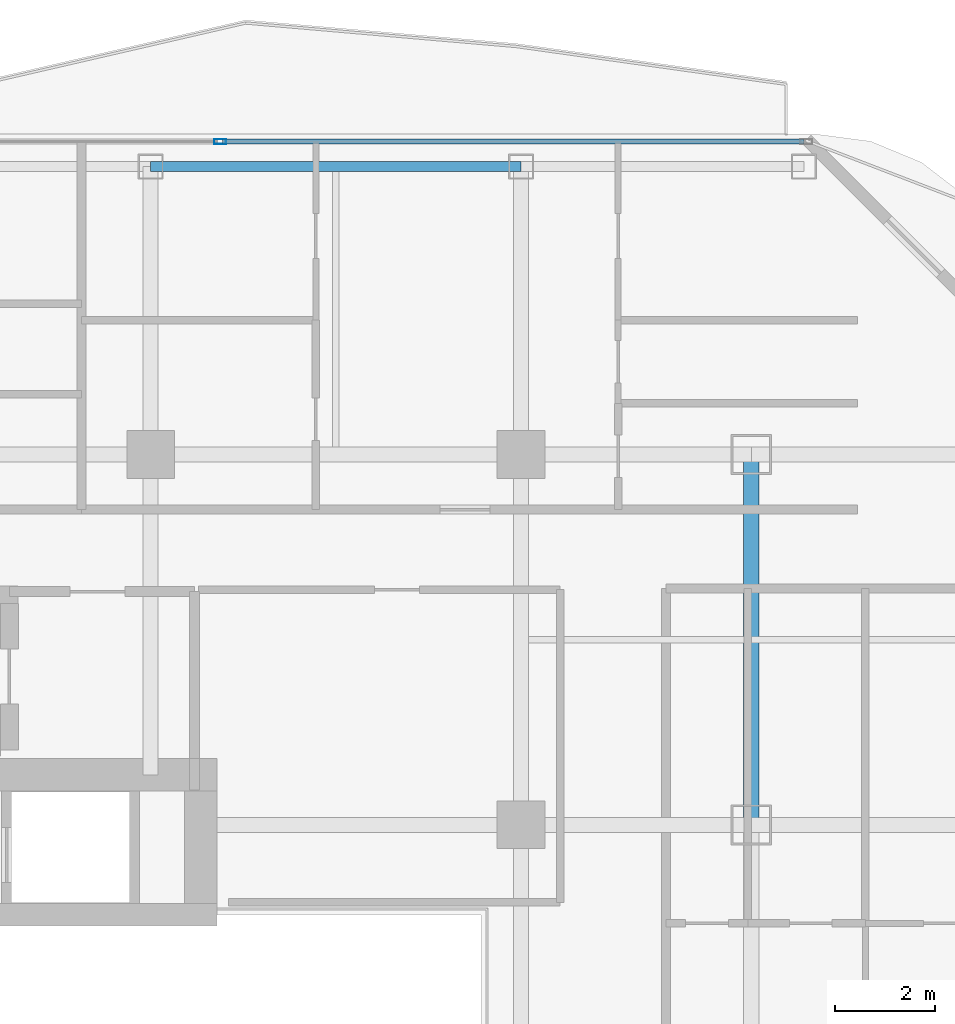
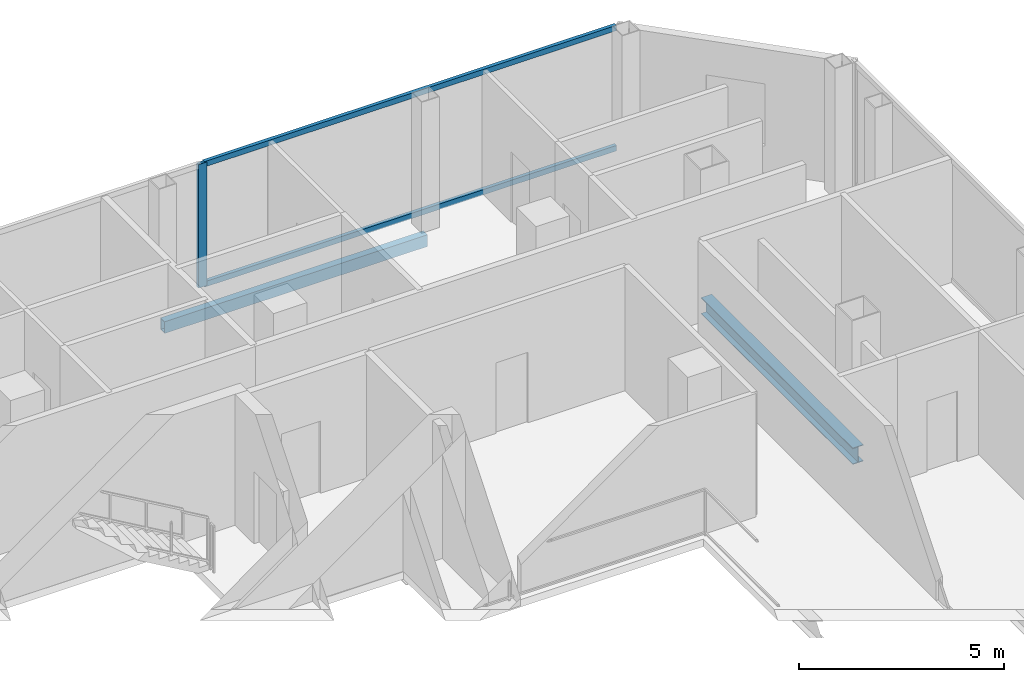
# One storey, part 13 of 22: 3 members, 2 beams, 1 element without a shape of its own.
"""IFC4 building model written with IfcOpenShell, lengths in metres."""

from ifc_helpers import new_model, si_unit, direction, frame, origin, origin_2d, place, context, subcontext, project, spatial, hollow_rectangle, i_section, extrude, material, layer, layer_set, material_profile, profile_set, type_object, element, aggregate, save


model = new_model("IFC4")

# Units and contexts
model_context = context("Model", 3, precision=1e-05, world=origin(), true_north=direction((0.0, 1.0)))
body_context = subcontext(model_context, "Body", "Model", "MODEL_VIEW")
ifc_project = project(units=[si_unit("LENGTHUNIT", "METRE"), si_unit("AREAUNIT", "SQUARE_METRE"), si_unit("VOLUMEUNIT", "CUBIC_METRE"), si_unit("PLANEANGLEUNIT", "RADIAN"), si_unit("MASSUNIT", "GRAM", prefix="KILO")], contexts=[model_context])

# Site, building, storey
site_placement = place(None, origin())
site = spatial("IfcSite", under=ifc_project, at=site_placement, CompositionType="ELEMENT")
building_placement = place(site_placement, origin())
building = spatial("IfcBuilding", under=site, at=building_placement, Name="Khorvyn Point Tower", CompositionType="ELEMENT")
storey_placement = place(building_placement, frame((0.0, 0.0, 278.10009765625)))
storey = spatial("IfcBuildingStorey", under=building, at=storey_placement, Name="L68", CompositionType="ELEMENT", Elevation=278.10009765625)

# Curtain wall, members
ifc_material_1 = material(Name="Anodised aluminium 6063-T6 and laminated Low-E glass", Category="aluminium")
ifc_layer = layer(ifc_material_1, 0.18994140625)
ifc_layer_set = layer_set([ifc_layer], Name="Stick-Built High-Wind Curtain Wall CW-SYS-04")
curtain_wall_type = type_object("IfcCurtainWallType", Name="Stick-Built High-Wind Curtain Wall CW-SYS-04", PredefinedType="NOTDEFINED", material=ifc_layer_set)
curtain_wall_placement = place(storey_placement, origin())
curtain_wall = element("IfcCurtainWall", 1, at=curtain_wall_placement, inside=storey, type_object=curtain_wall_type, Name="Curtain Wall", PredefinedType="NOTDEFINED")
ifc_material_2 = material(Name="Anodised aluminium 6063-T6", Category="aluminium")
ifc_material_profile_1 = material_profile(ifc_material_2, hollow_rectangle(XDim=0.10009765625, YDim=0.239990234375, WallThickness=0.0048828125, at=origin_2d()))
ifc_profile_set_1 = profile_set([ifc_material_profile_1], Name="Anodised aluminium 6063-T6 ALU-MUL-100x240")
member_type_1 = type_object("IfcMemberType", Name="Anodised Aluminium 6063-T6 Mullion ALU-MUL-100x240", PredefinedType="MULLION", material=ifc_profile_set_1)
member_1_placement = place(storey_placement, frame((8.78857421875, 21.050048828125, 0.0), z_axis=(0.0, 0.0, 1.0), x_axis=(0.0, 1.0, 0.0)))
member_1 = element("IfcMember", 2, at=member_1_placement, type_object=member_type_1, Name="Transom", PredefinedType="MULLION", context=body_context, shape_type="SweptSolid", body=[
    extrude(hollow_rectangle(XDim=0.10009765625, YDim=0.239990234375, WallThickness=0.0048828125, at=origin_2d()), origin(), (0.0, 0.0, 1.0), 3.679931640625),
])
ifc_material_profile_2 = material_profile(ifc_material_2, hollow_rectangle(XDim=0.10009765625, YDim=0.159912109375, WallThickness=0.00439453125, at=origin_2d()))
ifc_profile_set_2 = profile_set([ifc_material_profile_2], Name="Anodised aluminium 6063-T6 ALU-TRN-100x160")
member_type_2 = type_object("IfcMemberType", Name="Anodised Aluminium 6063-T6 Transom ALU-TRN-100x160", PredefinedType="USERDEFINED", material=ifc_profile_set_2)
member_2_placement = place(storey_placement, frame((8.83837890625, 21.050048828125, 0.0498046875), z_axis=(1.0, 0.0, 0.0), x_axis=(0.0, 1.0, 0.0)))
member_2 = element("IfcMember", 3, at=member_2_placement, type_object=member_type_2, Name="Transom", ObjectType="TRANSOM", PredefinedType="USERDEFINED", context=body_context, shape_type="SweptSolid", body=[
    extrude(hollow_rectangle(XDim=0.10009765625, YDim=0.159912109375, WallThickness=0.00439453125, at=origin_2d()), origin(), (0.0, 0.0, 1.0), 11.611572265625),
])
member_3_placement = place(storey_placement, frame((8.83837890625, 21.050048828125, 3.6298828125), z_axis=(1.0, 0.0, 0.0), x_axis=(0.0, 1.0, 0.0)))
member_3 = element("IfcMember", 4, at=member_3_placement, type_object=member_type_2, Name="Transom", ObjectType="TRANSOM", PredefinedType="USERDEFINED", context=body_context, shape_type="SweptSolid", body=[
    extrude(hollow_rectangle(XDim=0.10009765625, YDim=0.159912109375, WallThickness=0.00439453125, at=origin_2d()), origin(), (0.0, 0.0, 1.0), 11.611572265625),
])
aggregate(curtain_wall, [member_1, member_2, member_3])

# Beams
ifc_material_3 = material(Name="Steel S355", Category="steel")
ifc_material_profile_3 = material_profile(ifc_material_3, i_section(OverallWidth=0.300048828125, OverallDepth=0.488037109375, WebThickness=0.010986328125, FlangeThickness=0.01806640625, at=origin_2d()))
ifc_profile_set_3 = profile_set([ifc_material_profile_3], Name="Steel S355 H488x300x11x18")
beam_type_1 = type_object("IfcBeamType", Name="Steel S355 Spandrel H488x300x11x18", PredefinedType="SPANDREL", material=ifc_profile_set_3)
beam_1_placement = place(storey_placement, frame((19.39990234375, 7.39990234375, -0.464111328125), z_axis=(0.0, 1.0, 0.0), x_axis=(-1.0, 0.0, 0.0)))
element("IfcBeam", 5, at=beam_1_placement, inside=storey, type_object=beam_type_1, Name="Beam", PredefinedType="SPANDREL", context=body_context, shape_type="SweptSolid", body=[
    extrude(i_section(OverallWidth=0.300048828125, OverallDepth=0.488037109375, WebThickness=0.010986328125, FlangeThickness=0.01806640625, at=origin_2d()), origin(), (0.0, 0.0, 1.0), 7.400146484375),
])
ifc_material_profile_4 = material_profile(ifc_material_3, hollow_rectangle(XDim=0.199951171875, YDim=0.35009765625, WallThickness=0.013916015625, at=origin_2d()))
ifc_profile_set_4 = profile_set([ifc_material_profile_4], Name="Steel S355 RHS350x200x14")
beam_type_2 = type_object("IfcBeamType", Name="Steel S355 Spandrel RHS350x200x14", PredefinedType="SPANDREL", material=ifc_profile_set_4)
beam_2_placement = place(storey_placement, frame((7.39990234375, 20.550048828125, -0.39501953125), z_axis=(1.0, 0.0, 0.0), x_axis=(0.0, 1.0, 0.0)))
element("IfcBeam", 6, at=beam_2_placement, inside=storey, type_object=beam_type_2, Name="Beam", PredefinedType="SPANDREL", context=body_context, shape_type="SweptSolid", body=[
    extrude(hollow_rectangle(XDim=0.199951171875, YDim=0.35009765625, WallThickness=0.013916015625, at=origin_2d()), origin(), (0.0, 0.0, 1.0), 7.400146484375),
])

save(model, "model.ifc")
